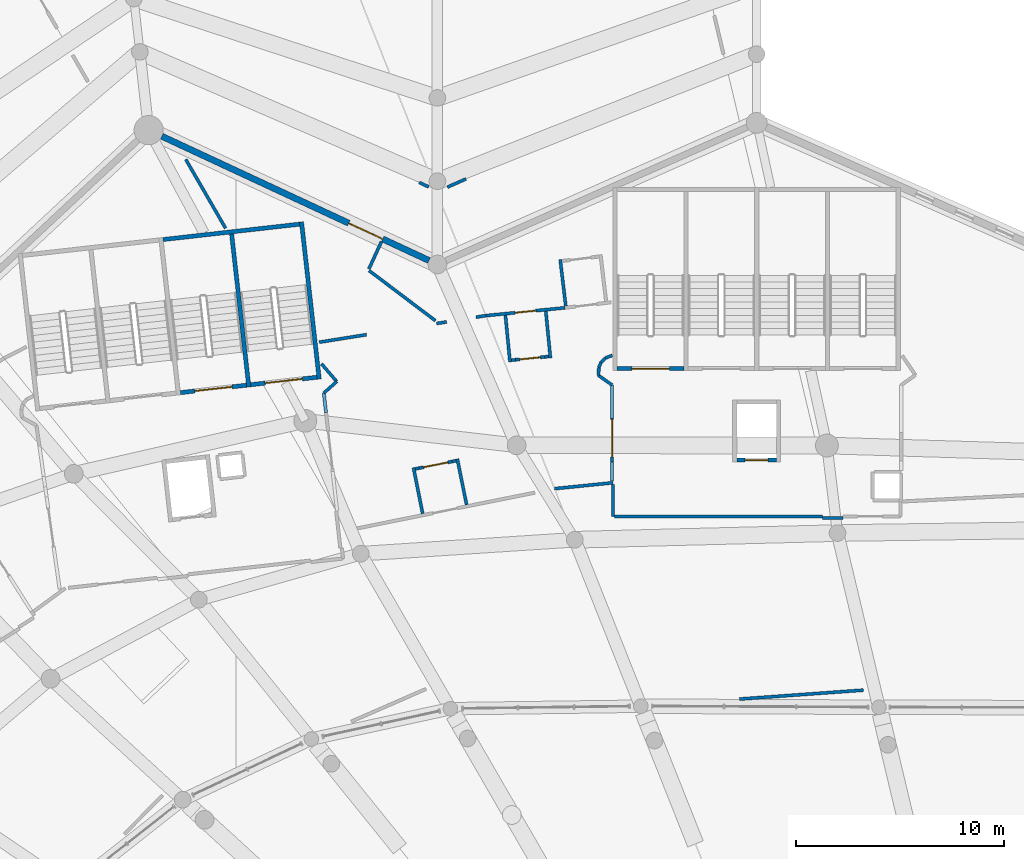
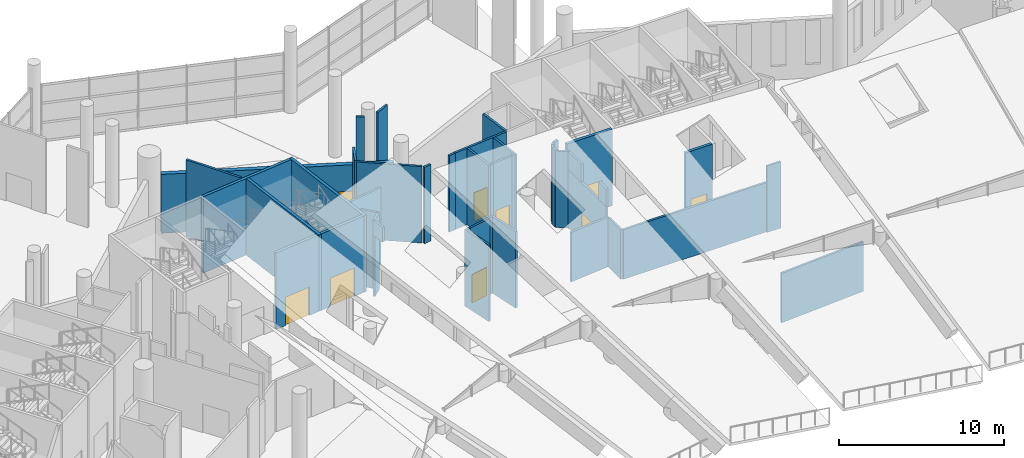
# One storey, part 165 of 249: 44 walls, 9 doors, 9 openings.
"""IFC4 building model written with IfcOpenShell, lengths in metres."""

from ifc_helpers import new_model, si_unit, direction, frame, frame_2d, origin, place, context, subcontext, project, spatial, rectangle, extrude, material, layer, layer_set, type_object, element, fill, save


model = new_model("IFC4")

# Units and contexts
model_context = context("Model", 3, precision=1e-05, world=origin(), true_north=direction((0.0, 1.0)))
body_context = subcontext(model_context, "Body", "Model", "MODEL_VIEW")
ifc_project = project(units=[si_unit("LENGTHUNIT", "METRE"), si_unit("AREAUNIT", "SQUARE_METRE"), si_unit("VOLUMEUNIT", "CUBIC_METRE"), si_unit("PLANEANGLEUNIT", "RADIAN"), si_unit("MASSUNIT", "GRAM", prefix="KILO")], contexts=[model_context])

# Site, building, storey
site_placement = place(None, origin())
site = spatial("IfcSite", under=ifc_project, at=site_placement, CompositionType="ELEMENT")
building_placement = place(site_placement, origin())
building = spatial("IfcBuilding", under=site, at=building_placement, Name="Meseta Stadium", CompositionType="ELEMENT")
storey_placement = place(building_placement, frame((0.0, 0.0, 12.0)))
storey = spatial("IfcBuildingStorey", under=building, at=storey_placement, Name="L02", CompositionType="ELEMENT", Elevation=12.0)

# Wall
ifc_material_1 = material(Name="Concrete C40/50", Category="concrete")
ifc_layer_1 = layer(ifc_material_1, 0.199951171875)
ifc_layer_set_1 = layer_set([ifc_layer_1], Name="Core divider wall 200")
wall_type_1 = type_object("IfcWallType", Name="Core divider wall 200", PredefinedType="SHEAR", material=ifc_layer_set_1)
wall_1_placement = place(storey_placement, frame((-48.241943359375, 100.264892578125, 0.0), z_axis=(0.0, 0.0, 1.0), x_axis=(0.111954577255, -0.993713325176, 0.0)))
element("IfcWall", 1, at=wall_1_placement, inside=storey, type_object=wall_type_1, Name="Core 12 L02 stair A divider wall", PredefinedType="SHEAR", context=body_context, shape_type="SweptSolid", body=[
    extrude(rectangle(XDim=7.599853515625, YDim=0.199951171875, at=frame_2d((3.7998046875, 0.0))), origin(), (0.0, 0.0, 1.0), 5.64990234375),
])

# Wall, opening, door
ifc_material_2 = material(Name="Concrete C40/50", Category="concrete")
ifc_layer_2 = layer(ifc_material_2, 0.199951171875)
ifc_layer_set_2 = layer_set([ifc_layer_2], Name="Core shaft wall 200")
wall_type_2 = type_object("IfcWallType", Name="Core shaft wall 200", PredefinedType="SHEAR", material=ifc_layer_set_2)
wall_2_placement = place(storey_placement, frame((-26.5, 93.60009765625, 0.0), z_axis=(0.0, 0.0, 1.0), x_axis=(-1.0, 0.0, 0.0)))
wall_2 = element("IfcWall", 2, at=wall_2_placement, inside=storey, type_object=wall_type_2, Name="Core 11 L02 stair B2 inner end wall", PredefinedType="SHEAR", context=body_context, shape_type="SweptSolid", body=[
    extrude(rectangle(XDim=3.199951171875, YDim=0.199951171875, at=frame_2d((1.60009765625, 0.0))), origin(), (0.0, 0.0, 1.0), 5.64990234375),
])
opening_1_placement = place(wall_2_placement, frame((0.699951171875, 0.0, 0.0)))
opening_1 = element("IfcOpeningElement", 3, at=opening_1_placement, cuts=wall_2, Name="Opening D1109", PredefinedType="OPENING", context=body_context, shape_type="SweptSolid", body=[
    extrude(rectangle(XDim=1.800048828125, YDim=2.10009765625, at=frame_2d((0.89990234375, 1.050048828125))), frame((0.0, 0.10986328125, 0.0), z_axis=(0.0, -1.0, 0.0), x_axis=(1.0, 0.0, 0.0)), (0.0, 0.0, 1.0), 0.219970703125),
])
ifc_material_3 = material(Name="Steel", Category="steel")
door_type_1 = type_object("IfcDoorType", Name="Stair door 1800x2100", OperationType="DOUBLE_DOOR_SINGLE_SWING", PredefinedType="DOOR", material=ifc_material_3)
door_1_placement = place(opening_1_placement, origin())
door_1 = element("IfcDoor", 4, at=door_1_placement, inside=storey, type_object=door_type_1, Name="Stair B2 door 11 L02", OperationType="DOUBLE_DOOR_SINGLE_SWING", OverallHeight=2.10009765625, OverallWidth=1.800048828125, PredefinedType="DOOR", context=body_context, shape_type="SweptSolid", body=[
    extrude(rectangle(XDim=1.800048828125, YDim=2.10009765625, at=frame_2d((0.89990234375, 1.050048828125))), frame((0.0, 0.02490234375, 0.0), z_axis=(0.0, -1.0, 0.0), x_axis=(1.0, 0.0, 0.0)), (0.0, 0.0, 1.0), 0.050048828125),
])
fill(opening_1, door_1)

wall_3_placement = place(storey_placement, frame((-22.050048828125, 89.199951171875, 0.0), z_axis=(0.0, 0.0, 1.0), x_axis=(-1.0, 0.0, 0.0)))
wall_3 = element("IfcWall", 5, at=wall_3_placement, inside=storey, type_object=wall_type_2, Name="Core 11 L02 lift shaft front wall", PredefinedType="SHEAR", context=body_context, shape_type="SweptSolid", body=[
    extrude(rectangle(XDim=1.89990234375, YDim=0.199951171875, at=frame_2d((0.949951171875, 0.0))), origin(), (0.0, 0.0, 1.0), 5.64990234375),
])
opening_2_placement = place(wall_3_placement, frame((0.39990234375, 0.0, 0.0)))
opening_2 = element("IfcOpeningElement", 6, at=opening_2_placement, cuts=wall_3, Name="Opening LD60", PredefinedType="OPENING", context=body_context, shape_type="SweptSolid", body=[
    extrude(rectangle(XDim=1.10009765625, YDim=2.10009765625, at=frame_2d((0.550048828125, 1.050048828125))), frame((0.0, 0.10986328125, 0.0), z_axis=(0.0, -1.0, 0.0), x_axis=(1.0, 0.0, 0.0)), (0.0, 0.0, 1.0), 0.219970703125),
])
ifc_material_4 = material(Name="Steel", Category="steel")
door_type_2 = type_object("IfcDoorType", Name="Lift landing door 1100x2100", OperationType="SLIDING_TO_LEFT", PredefinedType="DOOR", material=ifc_material_4)
door_2_placement = place(opening_2_placement, origin())
door_2 = element("IfcDoor", 7, at=door_2_placement, inside=storey, type_object=door_type_2, Name="Lift landing door LD60", OperationType="SLIDING_TO_RIGHT", OverallHeight=2.10009765625, OverallWidth=1.10009765625, PredefinedType="DOOR", context=body_context, shape_type="SweptSolid", body=[
    extrude(rectangle(XDim=1.10009765625, YDim=2.10009765625, at=frame_2d((0.550048828125, 1.050048828125))), frame((0.0, 0.02490234375, 0.0), z_axis=(0.0, -1.0, 0.0), x_axis=(1.0, 0.0, 0.0)), (0.0, 0.0, 1.0), 0.050048828125),
])
fill(opening_2, door_2)

# Walls
wall_4_placement = place(storey_placement, frame((-44.86328125, 100.645751953125, 0.0), z_axis=(0.0, 0.0, 1.0), x_axis=(0.111951003472, -0.993713727802, 0.0)))
element("IfcWall", 8, at=wall_4_placement, inside=storey, type_object=wall_type_2, Name="Core 12 L02 stair wall A-side", PredefinedType="SHEAR", context=body_context, shape_type="SweptSolid", body=[
    extrude(rectangle(XDim=7.60009765625, YDim=0.199951171875, at=frame_2d((3.800048828125, 0.0))), origin(), (0.0, 0.0, 1.0), 5.64990234375),
])
wall_5_placement = place(storey_placement, frame((-44.951416015625, 100.53515625, 0.0), z_axis=(0.0, 0.0, 1.0), x_axis=(-0.993711575492, -0.111970106426, 0.0)))
element("IfcWall", 9, at=wall_5_placement, inside=storey, type_object=wall_type_2, Name="Core 12 L02 stair A outer end wall", PredefinedType="SHEAR", context=body_context, shape_type="SweptSolid", body=[
    extrude(rectangle(XDim=6.60009765625, YDim=0.199951171875, at=frame_2d((3.300048828125, 0.0))), origin(), (0.0, 0.0, 1.0), 5.64990234375),
])

# Wall, opening, door
wall_6_placement = place(storey_placement, frame((-44.123046875, 93.181640625, 0.0), z_axis=(0.0, 0.0, 1.0), x_axis=(-0.993717005286, -0.11192190762, 0.0)))
wall_6 = element("IfcWall", 10, at=wall_6_placement, inside=storey, type_object=wall_type_2, Name="Core 12 L02 stair A1 inner end wall", PredefinedType="SHEAR", context=body_context, shape_type="SweptSolid", body=[
    extrude(rectangle(XDim=3.199951171875, YDim=0.199951171875, at=frame_2d((1.60009765625, 0.0))), origin(), (0.0, 0.0, 1.0), 5.64990234375),
])
opening_3_placement = place(wall_6_placement, frame((0.699951171875, 0.0, 0.0)))
opening_3 = element("IfcOpeningElement", 11, at=opening_3_placement, cuts=wall_6, Name="Opening D1092", PredefinedType="OPENING", context=body_context, shape_type="SweptSolid", body=[
    extrude(rectangle(XDim=1.800048828125, YDim=2.10009765625, at=frame_2d((0.89990234375, 1.050048828125))), frame((0.0, 0.10986328125, 0.0), z_axis=(0.0, -1.0, 0.0), x_axis=(1.0, 0.0, 0.0)), (0.0, 0.0, 1.0), 0.219970703125),
])
door_3_placement = place(opening_3_placement, origin())
door_3 = element("IfcDoor", 12, at=door_3_placement, inside=storey, type_object=door_type_1, Name="Stair A1 door 12 L02", OperationType="DOUBLE_DOOR_SINGLE_SWING", OverallHeight=2.10009765625, OverallWidth=1.800048828125, PredefinedType="DOOR", context=body_context, shape_type="SweptSolid", body=[
    extrude(rectangle(XDim=1.800048828125, YDim=2.10009765625, at=frame_2d((0.89990234375, 1.050048828125))), frame((0.0, 0.02490234375, 0.0), z_axis=(0.0, -1.0, 0.0), x_axis=(1.0, 0.0, 0.0)), (0.0, 0.0, 1.0), 0.050048828125),
])
fill(opening_3, door_3)

wall_7_placement = place(storey_placement, frame((-47.501708984375, 92.801025390625, 0.0), z_axis=(0.0, 0.0, 1.0), x_axis=(-0.993707560215, -0.112005735442, 0.0)))
wall_7 = element("IfcWall", 13, at=wall_7_placement, inside=storey, type_object=wall_type_2, Name="Core 12 L02 stair A2 inner end wall", PredefinedType="SHEAR", context=body_context, shape_type="SweptSolid", body=[
    extrude(rectangle(XDim=3.19970703125, YDim=0.199951171875, at=frame_2d((1.599853515625, 0.0))), origin(), (0.0, 0.0, 1.0), 5.64990234375),
])
opening_4_placement = place(wall_7_placement, frame((0.699951171875, 0.0, 0.0)))
opening_4 = element("IfcOpeningElement", 14, at=opening_4_placement, cuts=wall_7, Name="Opening D1087", PredefinedType="OPENING", context=body_context, shape_type="SweptSolid", body=[
    extrude(rectangle(XDim=1.800048828125, YDim=2.10009765625, at=frame_2d((0.89990234375, 1.050048828125))), frame((0.0, 0.10986328125, 0.0), z_axis=(0.0, -1.0, 0.0), x_axis=(1.0, 0.0, 0.0)), (0.0, 0.0, 1.0), 0.219970703125),
])
door_4_placement = place(opening_4_placement, origin())
door_4 = element("IfcDoor", 15, at=door_4_placement, inside=storey, type_object=door_type_1, Name="Stair A2 door 12 L02", OperationType="DOUBLE_DOOR_SINGLE_SWING", OverallHeight=2.10009765625, OverallWidth=1.800048828125, PredefinedType="DOOR", context=body_context, shape_type="SweptSolid", body=[
    extrude(rectangle(XDim=1.800048828125, YDim=2.10009765625, at=frame_2d((0.89990234375, 1.050048828125))), frame((0.0, 0.02490234375, 0.0), z_axis=(0.0, -1.0, 0.0), x_axis=(1.0, 0.0, 0.0)), (0.0, 0.0, 1.0), 0.050048828125),
])
fill(opening_4, door_4)

# Walls
ifc_material_5 = material(Name="Masonry blockwork", Category="masonry")
ifc_layer_3 = layer(ifc_material_5, 0.14990234375)
ifc_layer_set_3 = layer_set([ifc_layer_3], Name="Partition 150")
wall_type_3 = type_object("IfcWallType", Name="Partition 150", PredefinedType="PARTITIONING", material=ifc_layer_set_3)
wall_8_placement = place(storey_placement, frame((-32.710205078125, 87.82958984375, 0.0), z_axis=(0.0, 0.0, 1.0), x_axis=(0.994882835279, 0.101035360476, 0.0)))
element("IfcWall", 16, at=wall_8_placement, inside=storey, type_object=wall_type_3, Name="Partition L02 L02-cell10-0-0", PredefinedType="PARTITIONING", context=body_context, shape_type="SweptSolid", body=[
    extrude(rectangle(XDim=2.82470703125, YDim=0.14990234375, at=frame_2d((1.412353515625, 0.0))), origin(), (0.0, 0.0, 1.0), 3.655029296875),
])
wall_9_placement = place(storey_placement, frame((-29.89990234375, 88.03955078125, 0.0), z_axis=(0.0, 0.0, 1.0), x_axis=(0.0, -1.0, 0.0)))
element("IfcWall", 17, at=wall_9_placement, inside=storey, type_object=wall_type_3, Name="Partition L02 L02-cell10-0-0", PredefinedType="PARTITIONING", context=body_context, shape_type="SweptSolid", body=[
    extrude(rectangle(XDim=1.53955078125, YDim=0.14990234375, at=frame_2d((0.769775390625, 0.0))), origin(), (0.0, 0.0, 1.0), 3.655029296875),
])
wall_10_placement = place(storey_placement, frame((-29.824951171875, 86.5, 0.0), z_axis=(0.0, 0.0, 1.0), x_axis=(1.0, 0.0, 0.0)))
element("IfcWall", 18, at=wall_10_placement, inside=storey, type_object=wall_type_3, Name="Partition L02 L02-cell10-0-0", PredefinedType="PARTITIONING", context=body_context, shape_type="SweptSolid", body=[
    extrude(rectangle(XDim=9.986328125, YDim=0.14990234375, at=frame_2d((4.9931640625, 0.0))), origin(), (0.0, 0.0, 1.0), 3.655029296875),
])
wall_11_placement = place(storey_placement, frame((-17.878662109375, 78.15380859375, 0.0), z_axis=(0.0, 0.0, 1.0), x_axis=(-0.997410531706, -0.071918226082, 0.0)))
element("IfcWall", 19, at=wall_11_placement, inside=storey, type_object=wall_type_3, Name="Partition L02 L02-cell10-0-0", PredefinedType="PARTITIONING", context=body_context, shape_type="SweptSolid", body=[
    extrude(rectangle(XDim=5.97119140625, YDim=0.14990234375, at=frame_2d((2.985595703125, 0.0))), origin(), (0.0, 0.0, 1.0), 3.655029296875),
])
wall_12_placement = place(storey_placement, frame((-48.508056640625, 100.335693359375, 0.0), z_axis=(0.0, 0.0, 1.0), x_axis=(-0.500439359674, 0.865771590715, 0.0)))
element("IfcWall", 20, at=wall_12_placement, inside=storey, type_object=wall_type_3, Name="Partition L02 L02-cell10-2-0", PredefinedType="PARTITIONING", context=body_context, shape_type="SweptSolid", body=[
    extrude(rectangle(XDim=3.82177734375, YDim=0.14990234375, at=frame_2d((1.910888671875, 0.0))), origin(), (0.0, 0.0, 1.0), 5.64990234375),
])

# Wall, opening, door
wall_13_placement = place(storey_placement, frame((-32.2158203125, 96.516845703125, 0.0), z_axis=(0.0, 0.0, 1.0), x_axis=(-0.995135010831, -0.098520608089, 0.0)))
wall_13 = element("IfcWall", 21, at=wall_13_placement, inside=storey, type_object=wall_type_3, Name="Partition L02 L02-cell10-2-0", PredefinedType="PARTITIONING", context=body_context, shape_type="SweptSolid", body=[
    extrude(rectangle(XDim=3.811279296875, YDim=0.14990234375, at=frame_2d((1.90576171875, 0.0))), origin(), (0.0, 0.0, 1.0), 5.64990234375),
])
opening_5_placement = place(wall_13_placement, frame((1.39990234375, 0.0, 0.0)))
opening_5 = element("IfcOpeningElement", 22, at=opening_5_placement, cuts=wall_13, Name="Opening D1102", PredefinedType="OPENING", context=body_context, shape_type="SweptSolid", body=[
    extrude(rectangle(XDim=1.0, YDim=2.10009765625, at=frame_2d((0.5, 1.050048828125))), frame((0.0, 0.0849609375, 0.0), z_axis=(0.0, -1.0, 0.0), x_axis=(1.0, 0.0, 0.0)), (0.0, 0.0, 1.0), 0.169921875),
])
ifc_material_6 = material(Name="Steel", Category="steel")
door_type_3 = type_object("IfcDoorType", Name="Fire door 1000x2100 EI2 60", OperationType="NOTDEFINED", PredefinedType="DOOR", material=ifc_material_6)
door_5_placement = place(opening_5_placement, origin())
door_5 = element("IfcDoor", 23, at=door_5_placement, inside=storey, type_object=door_type_3, Name="Room door L02 L02-cell10-2-0", OperationType="SINGLE_SWING_LEFT", OverallHeight=2.10009765625, OverallWidth=1.0, PredefinedType="DOOR", context=body_context, shape_type="SweptSolid", body=[
    extrude(rectangle(XDim=1.0, YDim=2.10009765625, at=frame_2d((0.5, 1.050048828125))), frame((0.0, 0.02490234375, 0.0), z_axis=(0.0, -1.0, 0.0), x_axis=(1.0, 0.0, 0.0)), (0.0, 0.0, 1.0), 0.050048828125),
])
fill(opening_5, door_5)

# Walls
wall_14_placement = place(storey_placement, frame((-36.008544921875, 96.141357421875, 0.0), z_axis=(0.0, 0.0, 1.0), x_axis=(-0.987478956235, -0.157750787614, 0.0)))
element("IfcWall", 24, at=wall_14_placement, inside=storey, type_object=wall_type_3, Name="Partition L02 L02-cell10-2-0", PredefinedType="PARTITIONING", context=body_context, shape_type="SweptSolid", body=[
    extrude(rectangle(XDim=0.4765625, YDim=0.14990234375, at=frame_2d((0.23828125, 0.0))), origin(), (0.0, 0.0, 1.0), 5.64990234375),
])
wall_15_placement = place(storey_placement, frame((-37.891357421875, 95.841064453125, 0.0), z_axis=(0.0, 0.0, 1.0), x_axis=(-0.987539881519, -0.157368937247, 0.0)))
element("IfcWall", 25, at=wall_15_placement, inside=storey, type_object=wall_type_3, Name="Partition L02 L02-cell10-2-0", PredefinedType="PARTITIONING", context=body_context, shape_type="SweptSolid", body=[
    extrude(rectangle(XDim=0.490234375, YDim=0.14990234375, at=frame_2d((0.2451171875, 0.0))), origin(), (0.0, 0.0, 1.0), 5.64990234375),
])
wall_16_placement = place(storey_placement, frame((-36.964599609375, 102.70751953125, 0.0), z_axis=(0.0, 0.0, 1.0), x_axis=(-0.914193086295, -0.4052789175, 0.0)))
element("IfcWall", 26, at=wall_16_placement, inside=storey, type_object=wall_type_3, Name="Partition L02 L02-ring10-0", PredefinedType="PARTITIONING", context=body_context, shape_type="SweptSolid", body=[
    extrude(rectangle(XDim=0.975341796875, YDim=0.14990234375, at=frame_2d((0.48779296875, 0.0))), origin(), (0.0, 0.0, 1.0), 5.550048828125),
])
wall_17_placement = place(storey_placement, frame((-38.7548828125, 102.325439453125, 0.0), z_axis=(0.0, 0.0, 1.0), x_axis=(-0.906755828453, 0.421656101067, 0.0)))
element("IfcWall", 27, at=wall_17_placement, inside=storey, type_object=wall_type_3, Name="Partition L02 L02-ring10-0", PredefinedType="PARTITIONING", context=body_context, shape_type="SweptSolid", body=[
    extrude(rectangle(XDim=0.500244140625, YDim=0.14990234375, at=frame_2d((0.25, 0.0))), origin(), (0.0, 0.0, 1.0), 5.550048828125),
])
wall_18_placement = place(storey_placement, frame((-38.42919921875, 95.89697265625, 0.0), z_axis=(0.0, 0.0, 1.0), x_axis=(-0.797833387107, 0.602878002931, 0.0)))
element("IfcWall", 28, at=wall_18_placement, inside=storey, type_object=wall_type_3, Name="Partition L02 cell10-2-0 link", PredefinedType="PARTITIONING", context=body_context, shape_type="SweptSolid", body=[
    extrude(rectangle(XDim=3.99853515625, YDim=0.14990234375, at=frame_2d((1.999267578125, 0.0))), origin(), (0.0, 0.0, 1.0), 5.64990234375),
])
wall_19_placement = place(storey_placement, frame((-41.626953125, 98.383544921875, 0.0), z_axis=(0.0, 0.0, 1.0), x_axis=(0.418061745586, 0.908418613238, 0.0)))
element("IfcWall", 29, at=wall_19_placement, inside=storey, type_object=wall_type_3, Name="Partition L02 cell10-2-0 link", PredefinedType="PARTITIONING", context=body_context, shape_type="SweptSolid", body=[
    extrude(rectangle(XDim=1.4453125, YDim=0.14990234375, at=frame_2d((0.72265625, 0.0))), origin(), (0.0, 0.0, 1.0), 5.64990234375),
])
wall_20_placement = place(storey_placement, frame((-41.739013671875, 95.2275390625, 0.0), z_axis=(0.0, 0.0, 1.0), x_axis=(-0.987519978733, -0.157493782745, 0.0)))
element("IfcWall", 30, at=wall_20_placement, inside=storey, type_object=wall_type_3, Name="Partition L02 L02-cell10-2-0.1", PredefinedType="PARTITIONING", context=body_context, shape_type="SweptSolid", body=[
    extrude(rectangle(XDim=2.300537109375, YDim=0.14990234375, at=frame_2d((1.150390625, 0.0))), origin(), (0.0, 0.0, 1.0), 5.64990234375),
])
wall_21_placement = place(storey_placement, frame((-29.9384765625, 94.228759765625, 0.0), z_axis=(0.0, 0.0, 1.0), x_axis=(-0.937674325327, -0.347515265308, 0.0)))
element("IfcWall", 31, at=wall_21_placement, inside=storey, type_object=wall_type_3, Name="Stair vestibule wall L02 core 11", PredefinedType="PARTITIONING", context=body_context, shape_type="SweptSolid", body=[
    extrude(rectangle(XDim=0.356201171875, YDim=0.14990234375, at=frame_2d((0.17822265625, 0.0))), origin(), (0.0, 0.0, 1.0), 5.64990234375),
])
wall_22_placement = place(storey_placement, frame((-30.2724609375, 94.10498046875, 0.0), z_axis=(0.0, 0.0, 1.0), x_axis=(-0.707534941396, -0.706678361564, 0.0)))
element("IfcWall", 32, at=wall_22_placement, inside=storey, type_object=wall_type_3, Name="Stair vestibule wall L02 core 11", PredefinedType="PARTITIONING", context=body_context, shape_type="SweptSolid", body=[
    extrude(rectangle(XDim=0.284912109375, YDim=0.14990234375, at=frame_2d((0.142578125, 0.0))), origin(), (0.0, 0.0, 1.0), 5.64990234375),
])
wall_23_placement = place(storey_placement, frame((-30.47412109375, 93.903564453125, 0.0), z_axis=(0.0, 0.0, 1.0), x_axis=(-0.382275228123, -0.924048510611, 0.0)))
element("IfcWall", 33, at=wall_23_placement, inside=storey, type_object=wall_type_3, Name="Stair vestibule wall L02 core 11", PredefinedType="PARTITIONING", context=body_context, shape_type="SweptSolid", body=[
    extrude(rectangle(XDim=0.28173828125, YDim=0.14990234375, at=frame_2d((0.140869140625, 0.0))), origin(), (0.0, 0.0, 1.0), 5.64990234375),
])
wall_24_placement = place(storey_placement, frame((-30.581787109375, 93.643310546875, 0.0), z_axis=(0.0, 0.0, 1.0), x_axis=(-0.038982051143, -0.999239910977, 0.0)))
element("IfcWall", 34, at=wall_24_placement, inside=storey, type_object=wall_type_3, Name="Stair vestibule wall L02 core 11", PredefinedType="PARTITIONING", context=body_context, shape_type="SweptSolid", body=[
    extrude(rectangle(XDim=0.375732421875, YDim=0.14990234375, at=frame_2d((0.18798828125, 0.0))), origin(), (0.0, 0.0, 1.0), 5.64990234375),
])
wall_25_placement = place(storey_placement, frame((-30.596435546875, 93.267822265625, 0.0), z_axis=(0.0, 0.0, 1.0), x_axis=(0.817731616096, -0.57559969079, 0.0)))
element("IfcWall", 35, at=wall_25_placement, inside=storey, type_object=wall_type_3, Name="Stair vestibule wall L02 core 11", PredefinedType="PARTITIONING", context=body_context, shape_type="SweptSolid", body=[
    extrude(rectangle(XDim=0.796630859375, YDim=0.14990234375, at=frame_2d((0.3984375, 0.0))), origin(), (0.0, 0.0, 1.0), 5.64990234375),
])

# Wall, opening, door
wall_26_placement = place(storey_placement, frame((-29.945068359375, 92.809326171875, 0.0), z_axis=(0.0, 0.0, 1.0), x_axis=(0.0, -1.0, 0.0)))
wall_26 = element("IfcWall", 36, at=wall_26_placement, inside=storey, type_object=wall_type_3, Name="Stair vestibule wall L02 core 11", PredefinedType="PARTITIONING", context=body_context, shape_type="SweptSolid", body=[
    extrude(rectangle(XDim=4.61865234375, YDim=0.14990234375, at=frame_2d((2.309326171875, 0.0))), origin(), (0.0, 0.0, 1.0), 4.35009765625),
])
opening_6_placement = place(wall_26_placement, frame((1.64990234375, 0.0, 0.0)))
opening_6 = element("IfcOpeningElement", 37, at=opening_6_placement, cuts=wall_26, Name="Opening D1108", PredefinedType="OPENING", context=body_context, shape_type="SweptSolid", body=[
    extrude(rectangle(XDim=1.800048828125, YDim=2.10009765625, at=frame_2d((0.89990234375, 1.050048828125))), frame((0.0, 0.0849609375, 0.0), z_axis=(0.0, -1.0, 0.0), x_axis=(1.0, 0.0, 0.0)), (0.0, 0.0, 1.0), 0.169921875),
])
ifc_material_7 = material(Name="Steel", Category="steel")
door_type_4 = type_object("IfcDoorType", Name="Fire double door 1800x2100 EI2 60", OperationType="DOUBLE_DOOR_SINGLE_SWING", PredefinedType="DOOR", material=ifc_material_7)
door_6_placement = place(opening_6_placement, origin())
door_6 = element("IfcDoor", 38, at=door_6_placement, inside=storey, type_object=door_type_4, Name="Stair vestibule door L02 core 11", OperationType="DOUBLE_DOOR_SINGLE_SWING", OverallHeight=2.10009765625, OverallWidth=1.800048828125, PredefinedType="DOOR", context=body_context, shape_type="SweptSolid", body=[
    extrude(rectangle(XDim=1.800048828125, YDim=2.10009765625, at=frame_2d((0.89990234375, 1.050048828125))), frame((0.0, 0.02490234375, 0.0), z_axis=(0.0, -1.0, 0.0), x_axis=(1.0, 0.0, 0.0)), (0.0, 0.0, 1.0), 0.050048828125),
])
fill(opening_6, door_6)

# Walls
wall_27_placement = place(storey_placement, frame((-29.945068359375, 92.809326171875, 4.35009765625), z_axis=(0.0, 0.0, 1.0), x_axis=(0.0, -1.0, 0.0)))
element("IfcWall", 39, at=wall_27_placement, inside=storey, type_object=wall_type_3, Name="Stair vestibule wall L02 core 11", PredefinedType="PARTITIONING", context=body_context, shape_type="SweptSolid", body=[
    extrude(rectangle(XDim=1.60009765625, YDim=0.14990234375, at=frame_2d((0.800048828125, 0.0))), origin(), (0.0, 0.0, 1.0), 1.2998046875),
])
wall_28_placement = place(storey_placement, frame((-29.945068359375, 89.10791015625, 4.35009765625), z_axis=(0.0, 0.0, 1.0), x_axis=(0.0, -1.0, 0.0)))
element("IfcWall", 40, at=wall_28_placement, inside=storey, type_object=wall_type_3, Name="Stair vestibule wall L02 core 11", PredefinedType="PARTITIONING", context=body_context, shape_type="SweptSolid", body=[
    extrude(rectangle(XDim=0.917236328125, YDim=0.14990234375, at=frame_2d((0.45849609375, 0.0))), origin(), (0.0, 0.0, 1.0), 1.2998046875),
])
wall_29_placement = place(storey_placement, frame((-19.82861328125, 86.425048828125, 0.0), z_axis=(0.0, 0.0, 1.0), x_axis=(1.0, 0.0, 0.0)))
element("IfcWall", 41, at=wall_29_placement, inside=storey, type_object=wall_type_3, Name="Stair vestibule wall L02 core 11", PredefinedType="PARTITIONING", context=body_context, shape_type="SweptSolid", body=[
    extrude(rectangle(XDim=0.967529296875, YDim=0.14990234375, at=frame_2d((0.48388671875, 0.0))), origin(), (0.0, 0.0, 1.0), 4.89990234375),
])
wall_30_placement = place(storey_placement, frame((-43.6845703125, 91.480712890625, 4.550048828125), z_axis=(0.0, 0.0, 1.0), x_axis=(-0.111674075876, 0.99374488717, 0.0)))
element("IfcWall", 42, at=wall_30_placement, inside=storey, type_object=wall_type_3, Name="Stair vestibule wall L02 core 12", PredefinedType="PARTITIONING", context=body_context, shape_type="SweptSolid", body=[
    extrude(rectangle(XDim=0.94873046875, YDim=0.14990234375, at=frame_2d((0.474365234375, 0.0))), origin(), (0.0, 0.0, 1.0), 1.099853515625),
])
wall_31_placement = place(storey_placement, frame((-43.79052734375, 92.423583984375, 0.0), z_axis=(0.0, 0.0, 1.0), x_axis=(0.747490432018, 0.664272575109, 0.0)))
element("IfcWall", 43, at=wall_31_placement, inside=storey, type_object=wall_type_3, Name="Stair vestibule wall L02 core 12", PredefinedType="PARTITIONING", context=body_context, shape_type="SweptSolid", body=[
    extrude(rectangle(XDim=0.830322265625, YDim=0.14990234375, at=frame_2d((0.4150390625, 0.0))), origin(), (0.0, 0.0, 1.0), 5.64990234375),
])
wall_32_placement = place(storey_placement, frame((-43.169921875, 92.97509765625, 0.0), z_axis=(0.0, 0.0, 1.0), x_axis=(-0.651825129524, 0.75836930352, 0.0)))
element("IfcWall", 44, at=wall_32_placement, inside=storey, type_object=wall_type_3, Name="Stair vestibule wall L02 core 12", PredefinedType="PARTITIONING", context=body_context, shape_type="SweptSolid", body=[
    extrude(rectangle(XDim=1.12744140625, YDim=0.14990234375, at=frame_2d((0.563720703125, 0.0))), origin(), (0.0, 0.0, 1.0), 5.64990234375),
])
for number, where, z_axis, x_axis, name in (
    (45, (-39.042236328125, 86.632568359375, 0.0), (0.0, 0.0, 1.0), (-0.197159372057, 0.980371451038, 0.0), "Partition L02 L02-cell10-0-0 vestibule"),
    (46, (-36.934326171875, 87.056396484375, 0.0), (0.0, 0.0, 1.0), (-0.197263658984, 0.980350472456, 0.0), "Partition L02 L02-cell10-0-0 vestibule"),
):
    element("IfcWall", number, at=place(storey_placement, frame(where, z_axis=z_axis, x_axis=x_axis)), inside=storey, type_object=wall_type_3, Name=name, PredefinedType="PARTITIONING", context=body_context, shape_type="SweptSolid", body=[
        extrude(rectangle(XDim=2.25, YDim=0.14990234375, at=frame_2d((1.125, 0.0))), origin(), (0.0, 0.0, 1.0), 5.64990234375),
    ])
wall_33_placement = place(storey_placement, frame((-39.397705078125, 88.779541015625, 0.0), z_axis=(0.0, 0.0, 1.0), x_axis=(0.980250639168, 0.197759157591, 0.0)))
element("IfcWall", 47, at=wall_33_placement, inside=storey, type_object=wall_type_3, Name="Partition L02 L02-cell10-0-0 vestibule", PredefinedType="PARTITIONING", context=body_context, shape_type="SweptSolid", body=[
    extrude(rectangle(XDim=0.199951171875, YDim=0.14990234375, at=frame_2d((0.10009765625, 0.0))), origin(), (0.0, 0.0, 1.0), 5.64990234375),
])

# Wall, opening, door
wall_34_placement = place(storey_placement, frame((-39.20166015625, 88.819091796875, 0.0), z_axis=(0.0, 0.0, 1.0), x_axis=(0.98037473159, 0.197143058866, 0.0)))
wall_34 = element("IfcWall", 48, at=wall_34_placement, inside=storey, type_object=wall_type_3, Name="Partition L02 L02-cell10-0-0 vestibule", PredefinedType="PARTITIONING", context=body_context, shape_type="SweptSolid", body=[
    extrude(rectangle(XDim=1.60009765625, YDim=0.14990234375, at=frame_2d((0.800048828125, 0.0))), origin(), (0.0, 0.0, 1.0), 5.64990234375),
])
opening_7_placement = place(wall_34_placement, frame((0.199951171875, 0.0, 0.0)))
opening_7 = element("IfcOpeningElement", 49, at=opening_7_placement, cuts=wall_34, Name="Opening D1099", PredefinedType="OPENING", context=body_context, shape_type="SweptSolid", body=[
    extrude(rectangle(XDim=1.199951171875, YDim=2.10009765625, at=frame_2d((0.60009765625, 1.050048828125))), frame((0.0, 0.0849609375, 0.0), z_axis=(0.0, -1.0, 0.0), x_axis=(1.0, 0.0, 0.0)), (0.0, 0.0, 1.0), 0.169921875),
])
ifc_material_8 = material(Name="Steel", Category="steel")
door_type_5 = type_object("IfcDoorType", Name="Fire door 1200x2100 EI2 60", OperationType="NOTDEFINED", PredefinedType="DOOR", material=ifc_material_8)
door_7_placement = place(opening_7_placement, origin())
door_7 = element("IfcDoor", 50, at=door_7_placement, inside=storey, type_object=door_type_5, Name="Vestibule door L02 L02-cell10-0-0", OperationType="SINGLE_SWING_LEFT", OverallHeight=2.10009765625, OverallWidth=1.199951171875, PredefinedType="DOOR", context=body_context, shape_type="SweptSolid", body=[
    extrude(rectangle(XDim=1.199951171875, YDim=2.10009765625, at=frame_2d((0.60009765625, 1.050048828125))), frame((0.0, 0.02490234375, 0.0), z_axis=(0.0, -1.0, 0.0), x_axis=(1.0, 0.0, 0.0)), (0.0, 0.0, 1.0), 0.050048828125),
])
fill(opening_7, door_7)

# Walls
wall_35_placement = place(storey_placement, frame((-37.633056640625, 89.134521484375, 0.0), z_axis=(0.0, 0.0, 1.0), x_axis=(0.980250639168, 0.197759157591, 0.0)))
element("IfcWall", 51, at=wall_35_placement, inside=storey, type_object=wall_type_3, Name="Partition L02 L02-cell10-0-0 vestibule", PredefinedType="PARTITIONING", context=body_context, shape_type="SweptSolid", body=[
    extrude(rectangle(XDim=0.199951171875, YDim=0.14990234375, at=frame_2d((0.10009765625, 0.0))), origin(), (0.0, 0.0, 1.0), 5.64990234375),
])
for number, where, z_axis, x_axis, name in (
    (52, (-33.12890625, 96.35107421875, 0.0), (0.0, 0.0, 1.0), (0.098526017182, -0.995134475304, 0.0), "Partition L02 L02-cell10-2-0 vestibule"),
    (53, (-35.069580078125, 96.158935546875, 0.0), (0.0, 0.0, 1.0), (0.098526017182, -0.995134475304, 0.0), "Partition L02 L02-cell10-2-0 vestibule"),
):
    element("IfcWall", number, at=place(storey_placement, frame(where, z_axis=z_axis, x_axis=x_axis)), inside=storey, type_object=wall_type_3, Name=name, PredefinedType="PARTITIONING", context=body_context, shape_type="SweptSolid", body=[
        extrude(rectangle(XDim=2.25, YDim=0.14990234375, at=frame_2d((1.125, 0.0))), origin(), (0.0, 0.0, 1.0), 5.64990234375),
    ])
wall_36_placement = place(storey_placement, frame((-32.9892578125, 94.17919921875, 0.0), z_axis=(0.0, 0.0, 1.0), x_axis=(-0.995216892722, -0.09769000174, 0.0)))
element("IfcWall", 54, at=wall_36_placement, inside=storey, type_object=wall_type_3, Name="Partition L02 L02-cell10-2-0 vestibule", PredefinedType="PARTITIONING", context=body_context, shape_type="SweptSolid", body=[
    extrude(rectangle(XDim=0.199951171875, YDim=0.14990234375, at=frame_2d((0.10009765625, 0.0))), origin(), (0.0, 0.0, 1.0), 5.64990234375),
])

# Wall, opening, door
wall_37_placement = place(storey_placement, frame((-33.188232421875, 94.15966796875, 0.0), z_axis=(0.0, 0.0, 1.0), x_axis=(-0.995118000901, -0.098692270634, 0.0)))
wall_37 = element("IfcWall", 55, at=wall_37_placement, inside=storey, type_object=wall_type_3, Name="Partition L02 L02-cell10-2-0 vestibule", PredefinedType="PARTITIONING", context=body_context, shape_type="SweptSolid", body=[
    extrude(rectangle(XDim=1.400146484375, YDim=0.14990234375, at=frame_2d((0.7001953125, 0.0))), origin(), (0.0, 0.0, 1.0), 5.64990234375),
])
opening_8_placement = place(wall_37_placement, frame((0.199951171875, 0.0, 0.0)))
opening_8 = element("IfcOpeningElement", 56, at=opening_8_placement, cuts=wall_37, Name="Opening D1103", PredefinedType="OPENING", context=body_context, shape_type="SweptSolid", body=[
    extrude(rectangle(XDim=1.0, YDim=2.10009765625, at=frame_2d((0.5, 1.050048828125))), frame((0.0, 0.0849609375, 0.0), z_axis=(0.0, -1.0, 0.0), x_axis=(1.0, 0.0, 0.0)), (0.0, 0.0, 1.0), 0.169921875),
])
door_8_placement = place(opening_8_placement, origin())
door_8 = element("IfcDoor", 57, at=door_8_placement, inside=storey, type_object=door_type_3, Name="Vestibule door L02 L02-cell10-2-0", OperationType="SINGLE_SWING_RIGHT", OverallHeight=2.10009765625, OverallWidth=1.0, PredefinedType="DOOR", context=body_context, shape_type="SweptSolid", body=[
    extrude(rectangle(XDim=1.0, YDim=2.10009765625, at=frame_2d((0.5, 1.050048828125))), frame((0.0, 0.02490234375, 0.0), z_axis=(0.0, -1.0, 0.0), x_axis=(1.0, 0.0, 0.0)), (0.0, 0.0, 1.0), 0.050048828125),
])
fill(opening_8, door_8)

# Walls
wall_38_placement = place(storey_placement, frame((-34.58154296875, 94.021484375, 0.0), z_axis=(0.0, 0.0, 1.0), x_axis=(-0.995216892722, -0.09769000174, 0.0)))
element("IfcWall", 58, at=wall_38_placement, inside=storey, type_object=wall_type_3, Name="Partition L02 L02-cell10-2-0 vestibule", PredefinedType="PARTITIONING", context=body_context, shape_type="SweptSolid", body=[
    extrude(rectangle(XDim=0.199951171875, YDim=0.14990234375, at=frame_2d((0.10009765625, 0.0))), origin(), (0.0, 0.0, 1.0), 5.64990234375),
])
wall_39_placement = place(storey_placement, frame((-32.16845703125, 96.59814453125, 0.0), z_axis=(0.0, 0.0, 1.0), x_axis=(-0.119359153818, 0.992851143123, 0.0)))
element("IfcWall", 59, at=wall_39_placement, inside=storey, type_object=wall_type_3, Name="Partition L02 L02-cell10-2-0 vestibule", PredefinedType="PARTITIONING", context=body_context, shape_type="SweptSolid", body=[
    extrude(rectangle(XDim=2.25, YDim=0.14990234375, at=frame_2d((1.125, 0.0))), origin(), (0.0, 0.0, 1.0), 5.64990234375),
])

# Wall, opening, door
ifc_material_9 = material(Name="White precast concrete C40/50", Category="concrete")
ifc_layer_4 = layer(ifc_material_9, 0.300048828125)
ifc_layer_set_4 = layer_set([ifc_layer_4], Name="Pleated panel wall 300 concourse")
wall_type_4 = type_object("IfcWallType", Name="Pleated panel wall 300 concourse", PredefinedType="SOLIDWALL", material=ifc_layer_set_4)
wall_40_placement = place(storey_placement, frame((-51.56884765625, 104.7568359375, 0.0), z_axis=(0.0, 0.0, 1.0), x_axis=(0.906698705786, -0.421778919491, 0.0)))
wall_40 = element("IfcWall", 60, at=wall_40_placement, inside=storey, type_object=wall_type_4, Name="Pleated facade panel L02 F21", PredefinedType="SOLIDWALL", context=body_context, shape_type="SweptSolid", body=[
    extrude(rectangle(XDim=14.14794921875, YDim=0.300048828125, at=frame_2d((7.073974609375, 0.0))), origin(), (0.0, 0.0, 1.0), 4.35009765625),
])
opening_9_placement = place(wall_40_placement, frame((9.8974609375, 0.0, 0.0)))
opening_9 = element("IfcOpeningElement", 61, at=opening_9_placement, cuts=wall_40, Name="Opening D1097", PredefinedType="OPENING", context=body_context, shape_type="SweptSolid", body=[
    extrude(rectangle(XDim=1.800048828125, YDim=2.39990234375, at=frame_2d((0.89990234375, 1.199951171875))), frame((0.0, 0.159912109375, 0.0), z_axis=(0.0, -1.0, 0.0), x_axis=(1.0, 0.0, 0.0)), (0.0, 0.0, 1.0), 0.320068359375),
])
ifc_material_10 = material(Name="Steel", Category="steel")
door_type_6 = type_object("IfcDoorType", Name="Concourse double door 1800x2400", OperationType="DOUBLE_DOOR_SINGLE_SWING", PredefinedType="DOOR", material=ifc_material_10)
door_9_placement = place(opening_9_placement, origin())
door_9 = element("IfcDoor", 62, at=door_9_placement, inside=storey, type_object=door_type_6, Name="Concourse door", OperationType="DOUBLE_DOOR_SINGLE_SWING", OverallHeight=2.39990234375, OverallWidth=1.800048828125, PredefinedType="DOOR", context=body_context, shape_type="SweptSolid", body=[
    extrude(rectangle(XDim=1.800048828125, YDim=2.39990234375, at=frame_2d((0.89990234375, 1.199951171875))), frame((0.0, 0.02490234375, 0.0), z_axis=(0.0, -1.0, 0.0), x_axis=(1.0, 0.0, 0.0)), (0.0, 0.0, 1.0), 0.050048828125),
])
fill(opening_9, door_9)

save(model, "model.ifc")
